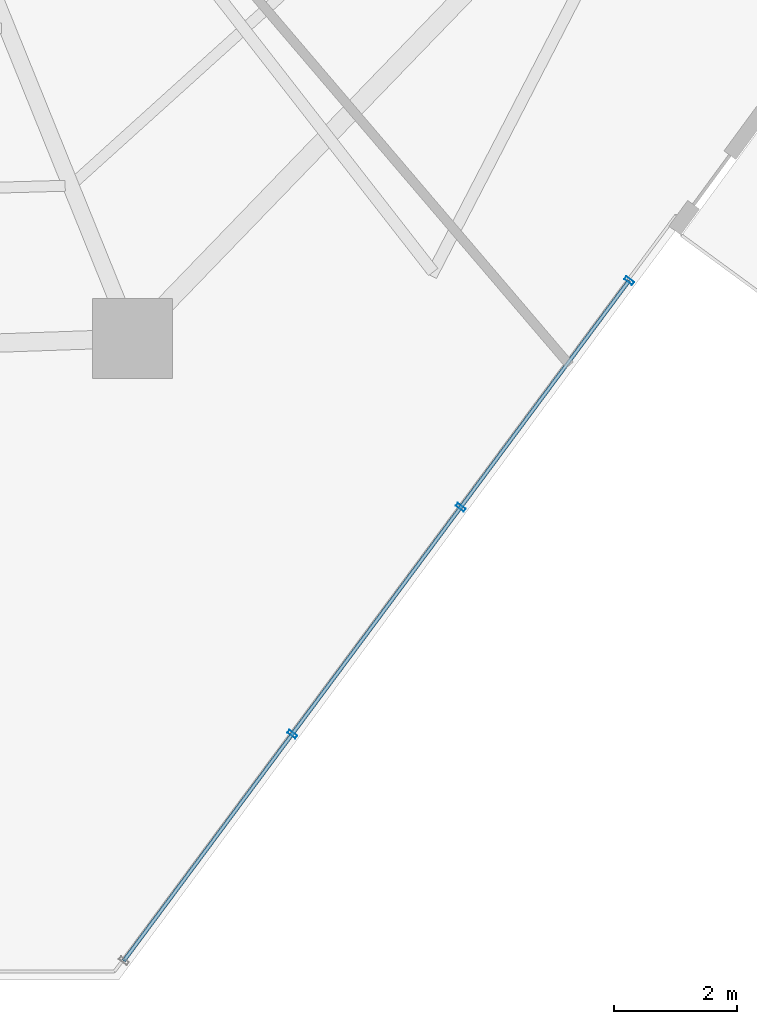
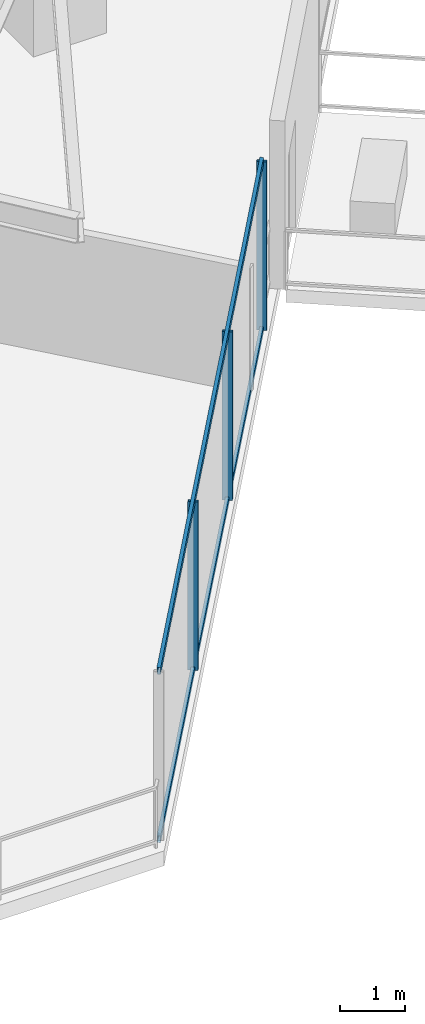
# One storey, part 9 of 28: 5 members, 1 element without a shape of its own.
"""IFC4 building model written with IfcOpenShell, lengths in metres."""

from ifc_helpers import new_model, si_unit, direction, frame, origin, origin_2d, place, context, subcontext, project, spatial, hollow_rectangle, extrude, material, layer, layer_set, material_profile, profile_set, type_object, element, aggregate, save


model = new_model("IFC4")

# Units and contexts
model_context = context("Model", 3, precision=1e-05, world=origin(), true_north=direction((0.0, 1.0)))
body_context = subcontext(model_context, "Body", "Model", "MODEL_VIEW")
ifc_project = project(units=[si_unit("LENGTHUNIT", "METRE"), si_unit("AREAUNIT", "SQUARE_METRE"), si_unit("VOLUMEUNIT", "CUBIC_METRE"), si_unit("PLANEANGLEUNIT", "RADIAN"), si_unit("MASSUNIT", "GRAM", prefix="KILO")], contexts=[model_context])

# Site, building, storey
site_placement = place(None, origin())
site = spatial("IfcSite", under=ifc_project, at=site_placement, CompositionType="ELEMENT")
building_placement = place(site_placement, origin())
building = spatial("IfcBuilding", under=site, at=building_placement, Name="Qarnah Convention Tower", CompositionType="ELEMENT")
storey_placement = place(building_placement, frame((0.0, 0.0, 44.25)))
storey = spatial("IfcBuildingStorey", under=building, at=storey_placement, Name="L10", CompositionType="ELEMENT", Elevation=44.25)

# Curtain wall, members
ifc_material_1 = material(Name="Tempered Low-E dark glass", Category="glass")
ifc_layer = layer(ifc_material_1, 0.16796875)
ifc_layer_set = layer_set([ifc_layer], Name="Tempered Low-E dark glass")
curtain_wall_type = type_object("IfcCurtainWallType", Name="CWS-01", PredefinedType="NOTDEFINED", material=ifc_layer_set)
curtain_wall_placement = place(storey_placement, origin())
curtain_wall = element("IfcCurtainWall", 1, at=curtain_wall_placement, inside=storey, type_object=curtain_wall_type, Name="L10 unitised curtain wall CW-L10-F4", PredefinedType="NOTDEFINED")
ifc_material_2 = material(Name="Black anodised aluminium", Category="aluminium")
ifc_material_profile_1 = material_profile(ifc_material_2, hollow_rectangle(XDim=0.06005859375, YDim=0.159912109375, WallThickness=0.00390625, at=origin_2d()), Name="MUL-60X160")
ifc_profile_set_1 = profile_set([ifc_material_profile_1], Name="Black anodised aluminium")
member_type_1 = type_object("IfcMemberType", Name="MUL-T1", PredefinedType="MULLION", material=ifc_profile_set_1)
member_1_placement = place(storey_placement, frame((51.493896484375, 11.99609375, 0.0), z_axis=(0.0, 0.0, 1.0), x_axis=(-0.596332003942, -0.802737903101, 0.0)))
member_1 = element("IfcMember", 2, at=member_1_placement, type_object=member_type_1, Name="CW-L10-F4 mullion 1", PredefinedType="MULLION", context=body_context, shape_type="SweptSolid", body=[
    extrude(hollow_rectangle(XDim=0.06005859375, YDim=0.159912109375, WallThickness=0.00390625, at=origin_2d()), origin(), (0.0, 0.0, 1.0), 3.169921875),
])
member_2_placement = place(storey_placement, frame((48.749267578125, 8.30126953125, 0.0), z_axis=(0.0, 0.0, 1.0), x_axis=(-0.596332003942, -0.802737903101, 0.0)))
member_2 = element("IfcMember", 3, at=member_2_placement, type_object=member_type_1, Name="CW-L10-F4 mullion 2", PredefinedType="MULLION", context=body_context, shape_type="SweptSolid", body=[
    extrude(hollow_rectangle(XDim=0.06005859375, YDim=0.159912109375, WallThickness=0.00390625, at=origin_2d()), origin(), (0.0, 0.0, 1.0), 3.169921875),
])
member_3_placement = place(storey_placement, frame((46.004638671875, 4.606689453125, 0.0), z_axis=(0.0, 0.0, 1.0), x_axis=(-0.596332003942, -0.802737903101, 0.0)))
member_3 = element("IfcMember", 4, at=member_3_placement, type_object=member_type_1, Name="CW-L10-F4 mullion 3", PredefinedType="MULLION", context=body_context, shape_type="SweptSolid", body=[
    extrude(hollow_rectangle(XDim=0.06005859375, YDim=0.159912109375, WallThickness=0.00390625, at=origin_2d()), origin(), (0.0, 0.0, 1.0), 3.169921875),
])
ifc_material_profile_2 = material_profile(ifc_material_2, hollow_rectangle(XDim=0.06005859375, YDim=0.1298828125, WallThickness=0.00390625, at=origin_2d()), Name="TRN-60X130")
ifc_profile_set_2 = profile_set([ifc_material_profile_2], Name="Black anodised aluminium")
member_type_2 = type_object("IfcMemberType", Name="TRN-T1", PredefinedType="USERDEFINED", material=ifc_profile_set_2)
member_4_placement = place(storey_placement, frame((51.493896484375, 11.99609375, 0.0), z_axis=(-0.596327256743, -0.802741429643, 0.0), x_axis=(0.802741429643, -0.596327256743, 0.0)))
member_4 = element("IfcMember", 5, at=member_4_placement, type_object=member_type_2, Name="CW-L10-F4 transom 1", ObjectType="TRANSOM", PredefinedType="USERDEFINED", context=body_context, shape_type="SweptSolid", body=[
    extrude(hollow_rectangle(XDim=0.06005859375, YDim=0.1298828125, WallThickness=0.00390625, at=origin_2d()), origin(), (0.0, 0.0, 1.0), 13.8076171875),
])
member_5_placement = place(storey_placement, frame((51.493896484375, 11.99609375, 3.169921875), z_axis=(-0.596327256743, -0.802741429643, 0.0), x_axis=(0.802741429643, -0.596327256743, 0.0)))
member_5 = element("IfcMember", 6, at=member_5_placement, type_object=member_type_2, Name="CW-L10-F4 transom 2", ObjectType="TRANSOM", PredefinedType="USERDEFINED", context=body_context, shape_type="SweptSolid", body=[
    extrude(hollow_rectangle(XDim=0.06005859375, YDim=0.1298828125, WallThickness=0.00390625, at=origin_2d()), origin(), (0.0, 0.0, 1.0), 13.8076171875),
])
aggregate(curtain_wall, [member_1, member_2, member_3, member_4, member_5])

save(model, "model.ifc")
